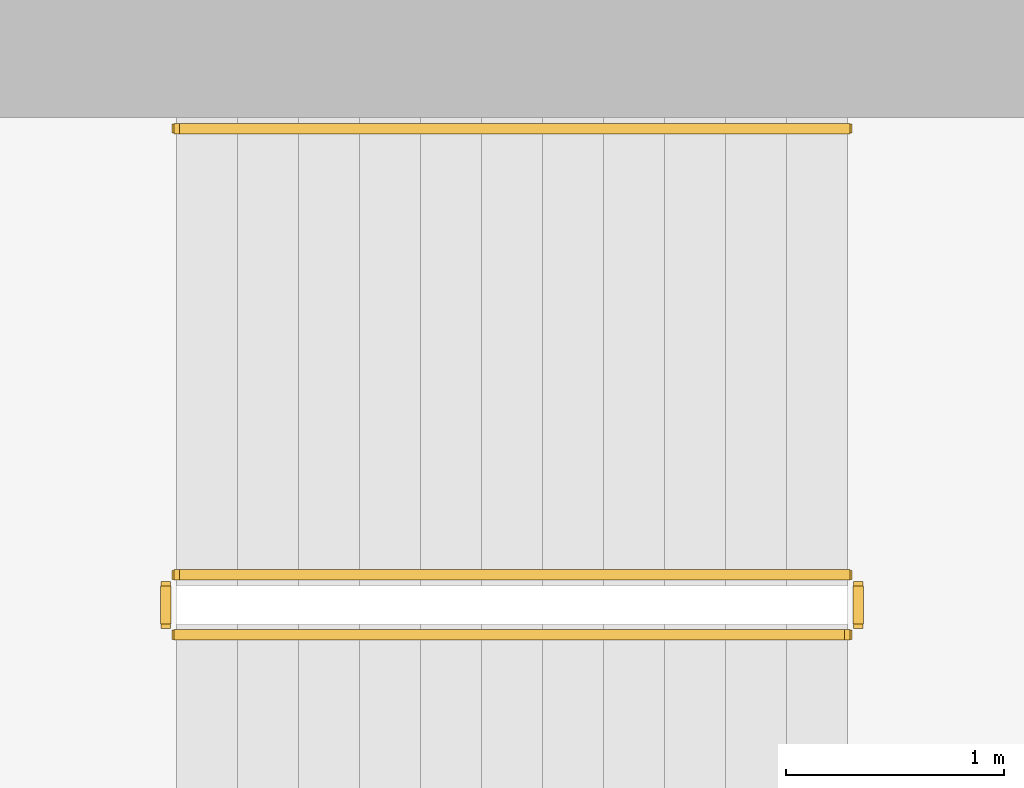
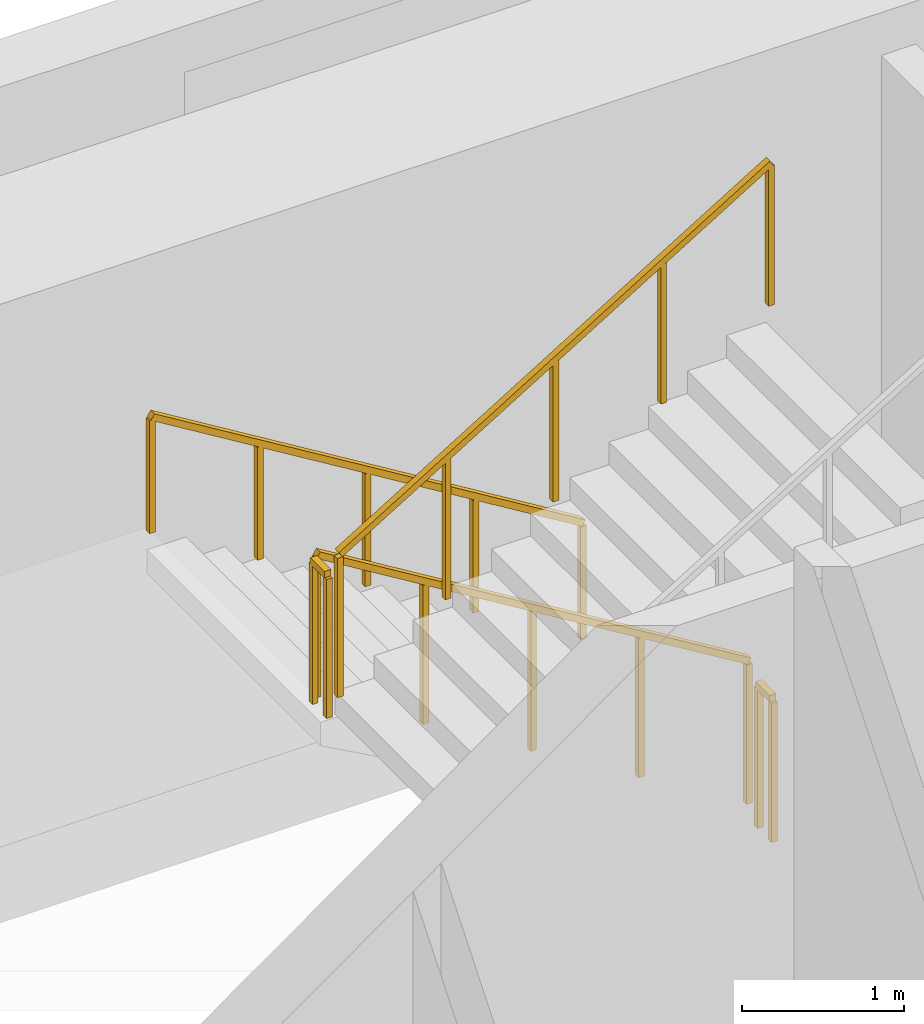
# One storey, part 13 of 14: 5 railings.
"""IFC4 building model written with IfcOpenShell, lengths in metres."""

from ifc_helpers import new_model, si_unit, direction, frame, origin, origin_2d, place, context, subcontext, project, spatial, rectangle, extrude, material, type_object, element, save


model = new_model("IFC4")

# Units and contexts
model_context = context("Model", 3, precision=1e-05, world=origin(), true_north=direction((0.0, 1.0)))
body_context = subcontext(model_context, "Body", "Model", "MODEL_VIEW")
ifc_project = project(units=[si_unit("LENGTHUNIT", "METRE"), si_unit("AREAUNIT", "SQUARE_METRE"), si_unit("VOLUMEUNIT", "CUBIC_METRE"), si_unit("PLANEANGLEUNIT", "RADIAN"), si_unit("MASSUNIT", "GRAM", prefix="KILO")], contexts=[model_context])

# Site, building, storey
site_placement = place(None, origin())
site = spatial("IfcSite", under=ifc_project, at=site_placement, CompositionType="ELEMENT")
building_placement = place(site_placement, origin())
building = spatial("IfcBuilding", under=site, at=building_placement, Name="Cypress Arch Tower", CompositionType="ELEMENT")
storey_placement = place(building_placement, frame((0.0, 0.0, 325.39990234375)))
storey = spatial("IfcBuildingStorey", under=building, at=storey_placement, Name="L74", CompositionType="ELEMENT", Elevation=325.39990234375)

# Railings
ifc_material_1 = material(Name="Black powder-coated steel square bar 48 mm", Category="steel")
railing_type_1 = type_object("IfcRailingType", Name="Stair handrail HR1", PredefinedType="HANDRAIL", material=ifc_material_1)
railing_1_placement = place(storey_placement, frame((-22.27490234375, 14.75, 0.1708984375)))
element("IfcRailing", 1, at=railing_1_placement, inside=storey, type_object=railing_type_1, Name="L74 B stair handrail 1", PredefinedType="HANDRAIL", context=body_context, shape_type="SweptSolid", body=[
    extrude(rectangle(XDim=0.048095703125, YDim=0.048095703125, at=origin_2d()), frame((0.0, 0.0, 0.8759765625), z_axis=(-0.853666305674, 0.0, 0.52082035152), x_axis=(0.0, -1.0, 0.0)), (0.0, 0.0, 1.0), 3.608154296875),
    extrude(rectangle(XDim=0.0419921875, YDim=0.0419921875, at=origin_2d()), origin(), (0.0, 0.0, 1.0), 0.851806640625),
    extrude(rectangle(XDim=0.0419921875, YDim=0.0419921875, at=origin_2d()), frame((-0.77001953125, 0.0, 0.4697265625)), (0.0, 0.0, 1.0), 0.851806640625),
    extrude(rectangle(XDim=0.0419921875, YDim=0.0419921875, at=origin_2d()), frame((-1.5400390625, 0.0, 0.939453125)), (0.0, 0.0, 1.0), 0.851806640625),
    extrude(rectangle(XDim=0.0419921875, YDim=0.0419921875, at=origin_2d()), frame((-2.31005859375, 0.0, 1.409423828125)), (0.0, 0.0, 1.0), 0.851806640625),
    extrude(rectangle(XDim=0.0419921875, YDim=0.0419921875, at=origin_2d()), frame((-3.080078125, 0.0, 1.879150390625)), (0.0, 0.0, 1.0), 0.851806640625),
])
ifc_material_2 = material(Name="Black powder-coated steel balusters", Category="steel")
railing_type_2 = type_object("IfcRailingType", Name="Stair well guard G1", PredefinedType="GUARDRAIL", material=ifc_material_2)
railing_2_placement = place(storey_placement, frame((-22.27490234375, 12.699951171875, 0.1708984375)))
element("IfcRailing", 2, at=railing_2_placement, inside=storey, type_object=railing_type_2, Name="L74 B stair guard 1", PredefinedType="GUARDRAIL", context=body_context, shape_type="SweptSolid", body=[
    extrude(rectangle(XDim=0.048095703125, YDim=0.048095703125, at=origin_2d()), frame((0.0, 0.0, 1.076171875), z_axis=(-0.853666305674, 0.0, 0.52082035152), x_axis=(0.0, -1.0, 0.0)), (0.0, 0.0, 1.0), 3.608154296875),
    extrude(rectangle(XDim=0.0419921875, YDim=0.0419921875, at=origin_2d()), origin(), (0.0, 0.0, 1.0), 1.052001953125),
    extrude(rectangle(XDim=0.0419921875, YDim=0.0419921875, at=origin_2d()), frame((-0.77001953125, 0.0, 0.4697265625)), (0.0, 0.0, 1.0), 1.052001953125),
    extrude(rectangle(XDim=0.0419921875, YDim=0.0419921875, at=origin_2d()), frame((-1.5400390625, 0.0, 0.939453125)), (0.0, 0.0, 1.0), 1.052001953125),
    extrude(rectangle(XDim=0.0419921875, YDim=0.0419921875, at=origin_2d()), frame((-2.31005859375, 0.0, 1.409423828125)), (0.0, 0.0, 1.0), 1.052001953125),
    extrude(rectangle(XDim=0.0419921875, YDim=0.0419921875, at=origin_2d()), frame((-3.080078125, 0.0, 1.879150390625)), (0.0, 0.0, 1.0), 1.052001953125),
])
railing_3_placement = place(storey_placement, frame((-25.405029296875, 12.64990234375, 2.050048828125)))
element("IfcRailing", 3, at=railing_3_placement, inside=storey, type_object=railing_type_2, Name="L74 B stair guard 2", PredefinedType="GUARDRAIL", context=body_context, shape_type="SweptSolid", body=[
    extrude(rectangle(XDim=0.048095703125, YDim=0.048095703125, at=origin_2d()), frame((0.0, 0.0, 1.076171875), z_axis=(0.0, -1.0, 0.0), x_axis=(1.0, 0.0, 0.0)), (0.0, 0.0, 1.0), 0.1748046875),
    extrude(rectangle(XDim=0.0419921875, YDim=0.0419921875, at=origin_2d()), origin(), (0.0, 0.0, 1.0), 1.052001953125),
    extrude(rectangle(XDim=0.0419921875, YDim=0.0419921875, at=origin_2d()), frame((0.0, -0.1748046875, 0.0)), (0.0, 0.0, 1.0), 1.052001953125),
])
railing_4_placement = place(storey_placement, frame((-25.35498046875, 12.425048828125, 2.220947265625)))
element("IfcRailing", 4, at=railing_4_placement, inside=storey, type_object=railing_type_2, Name="L74 B stair guard 3", PredefinedType="GUARDRAIL", context=body_context, shape_type="SweptSolid", body=[
    extrude(rectangle(XDim=0.048095703125, YDim=0.048095703125, at=origin_2d()), frame((0.0, 0.0, 1.076171875), z_axis=(0.853666305674, 0.0, 0.52082035152), x_axis=(0.0, 1.0, 0.0)), (0.0, 0.0, 1.0), 3.608154296875),
    extrude(rectangle(XDim=0.0419921875, YDim=0.0419921875, at=origin_2d()), origin(), (0.0, 0.0, 1.0), 1.052001953125),
    extrude(rectangle(XDim=0.0419921875, YDim=0.0419921875, at=origin_2d()), frame((0.77001953125, 0.0, 0.4697265625)), (0.0, 0.0, 1.0), 1.052001953125),
    extrude(rectangle(XDim=0.0419921875, YDim=0.0419921875, at=origin_2d()), frame((1.5400390625, 0.0, 0.939453125)), (0.0, 0.0, 1.0), 1.052001953125),
    extrude(rectangle(XDim=0.0419921875, YDim=0.0419921875, at=origin_2d()), frame((2.31005859375, 0.0, 1.409423828125)), (0.0, 0.0, 1.0), 1.052001953125),
    extrude(rectangle(XDim=0.0419921875, YDim=0.0419921875, at=origin_2d()), frame((3.080078125, 0.0, 1.879150390625)), (0.0, 0.0, 1.0), 1.052001953125),
])
railing_5_placement = place(storey_placement, frame((-22.22509765625, 12.64990234375, 0.0)))
element("IfcRailing", 5, at=railing_5_placement, inside=storey, type_object=railing_type_2, Name="L74 B stair guard 4", PredefinedType="GUARDRAIL", context=body_context, shape_type="SweptSolid", body=[
    extrude(rectangle(XDim=0.048095703125, YDim=0.048095703125, at=origin_2d()), frame((0.0, 0.0, 1.076171875), z_axis=(0.0, -1.0, 0.0), x_axis=(1.0, 0.0, 0.0)), (0.0, 0.0, 1.0), 0.1748046875),
    extrude(rectangle(XDim=0.0419921875, YDim=0.0419921875, at=origin_2d()), origin(), (0.0, 0.0, 1.0), 1.052001953125),
    extrude(rectangle(XDim=0.0419921875, YDim=0.0419921875, at=origin_2d()), frame((0.0, -0.1748046875, 0.0)), (0.0, 0.0, 1.0), 1.052001953125),
])

save(model, "model.ifc")
